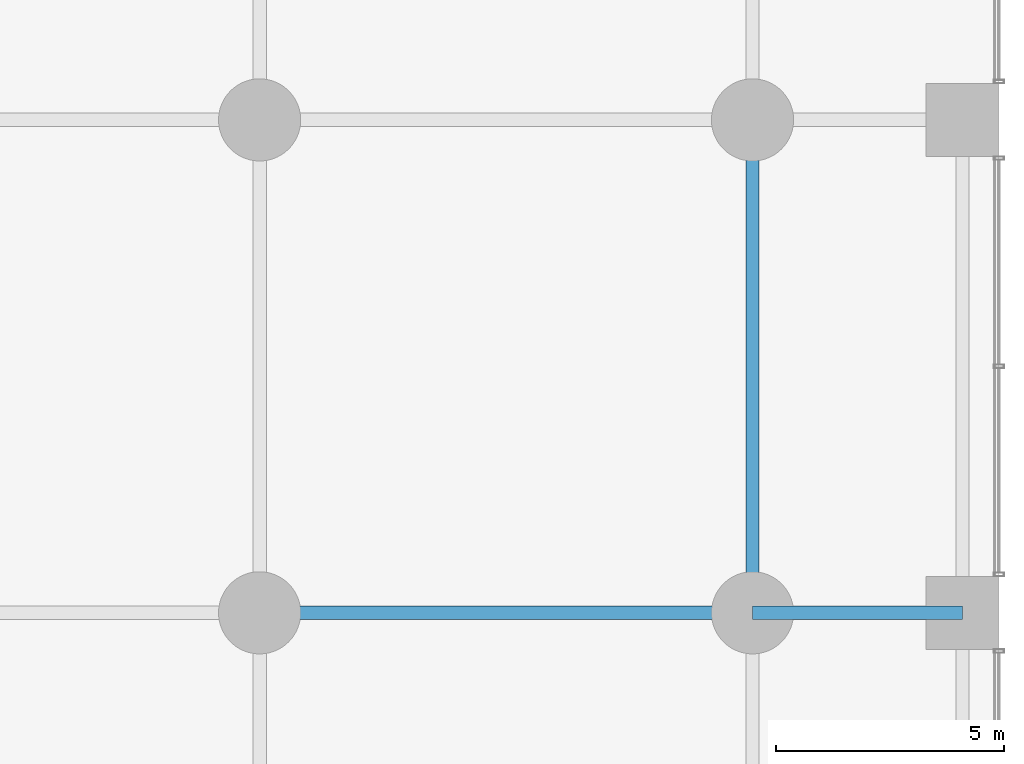
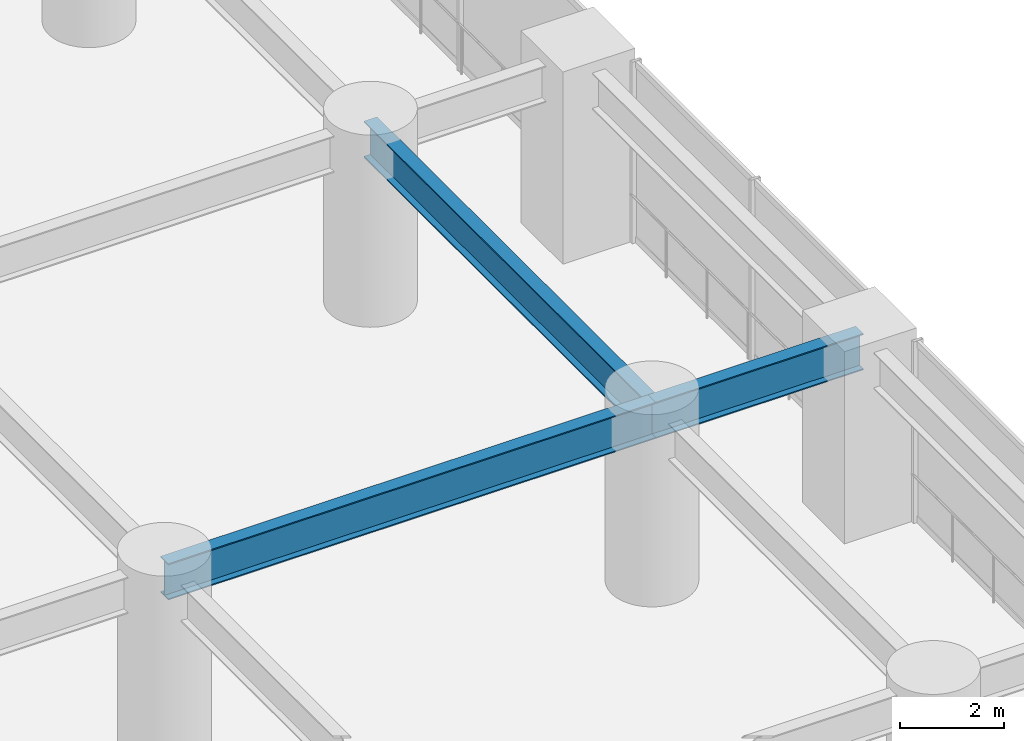
# One storey, part 21 of 36: 3 beams.
"""IFC4 building model written with IfcOpenShell, lengths in metres."""

from ifc_helpers import new_model, si_unit, direction, frame, origin, origin_2d, place, context, subcontext, project, spatial, i_section, extrude, material, material_profile, profile_set, type_object, element, save


model = new_model("IFC4")

# Units and contexts
model_context = context("Model", 3, precision=1e-05, world=origin(), true_north=direction((0.0, 1.0)))
body_context = subcontext(model_context, "Body", "Model", "MODEL_VIEW")
ifc_project = project(units=[si_unit("LENGTHUNIT", "METRE"), si_unit("AREAUNIT", "SQUARE_METRE"), si_unit("VOLUMEUNIT", "CUBIC_METRE"), si_unit("PLANEANGLEUNIT", "RADIAN"), si_unit("MASSUNIT", "GRAM", prefix="KILO")], contexts=[model_context])

# Site, building, storey
site_placement = place(None, origin())
site = spatial("IfcSite", under=ifc_project, at=site_placement, CompositionType="ELEMENT")
building_placement = place(site_placement, origin())
building = spatial("IfcBuilding", under=site, at=building_placement, Name="Surkhivell Harbour Commons", CompositionType="ELEMENT")
storey_placement = place(building_placement, frame((0.0, 0.0, 9.0)))
storey = spatial("IfcBuildingStorey", under=building, at=storey_placement, Name="L02", CompositionType="ELEMENT", Elevation=9.0)

# Beams
ifc_material = material(Name="Steel S460", Category="steel")
ifc_material_profile = material_profile(ifc_material, i_section(OverallWidth=0.2939453125, OverallDepth=0.85107421875, WebThickness=0.01611328125, FlangeThickness=0.02685546875, at=origin_2d()), Name="UB838x292x226")
ifc_profile_set = profile_set([ifc_material_profile], Name="Steel S460")
beam_type = type_object("IfcBeamType", Name="BM-SPN-838", PredefinedType="SPANDREL", material=ifc_profile_set)
beam_1_placement = place(storey_placement, frame((21.60009765625, 0.0, 3.824462890625), z_axis=(1.0, 0.0, 0.0), x_axis=(0.0, 1.0, 0.0)))
element("IfcBeam", 1, at=beam_1_placement, inside=storey, type_object=beam_type, Name="L02 Framing Beam (21.6,0.0)", PredefinedType="SPANDREL", context=body_context, shape_type="SweptSolid", body=[
    extrude(i_section(OverallWidth=0.2939453125, OverallDepth=0.85107421875, WebThickness=0.01611328125, FlangeThickness=0.02685546875, at=origin_2d()), origin(), (0.0, 0.0, 1.0), 10.7998046875),
])
beam_2_placement = place(storey_placement, frame((32.39990234375, 0.0, 3.824462890625), z_axis=(0.0, 1.0, 0.0), x_axis=(-1.0, 0.0, 0.0)))
element("IfcBeam", 2, at=beam_2_placement, inside=storey, type_object=beam_type, Name="L02 Framing Beam (32.4,0.0)", PredefinedType="SPANDREL", context=body_context, shape_type="SweptSolid", body=[
    extrude(i_section(OverallWidth=0.2939453125, OverallDepth=0.85107421875, WebThickness=0.01611328125, FlangeThickness=0.02685546875, at=origin_2d()), origin(), (0.0, 0.0, 1.0), 10.800048828125),
])
beam_3_placement = place(storey_placement, frame((32.39990234375, 0.0, 3.824462890625), z_axis=(1.0, 0.0, 0.0), x_axis=(0.0, 1.0, 0.0)))
element("IfcBeam", 3, at=beam_3_placement, inside=storey, type_object=beam_type, Name="L02 Framing Beam (32.4,0.0)", PredefinedType="SPANDREL", context=body_context, shape_type="SweptSolid", body=[
    extrude(i_section(OverallWidth=0.2939453125, OverallDepth=0.85107421875, WebThickness=0.01611328125, FlangeThickness=0.02685546875, at=origin_2d()), origin(), (0.0, 0.0, 1.0), 4.60009765625),
])

save(model, "model.ifc")
